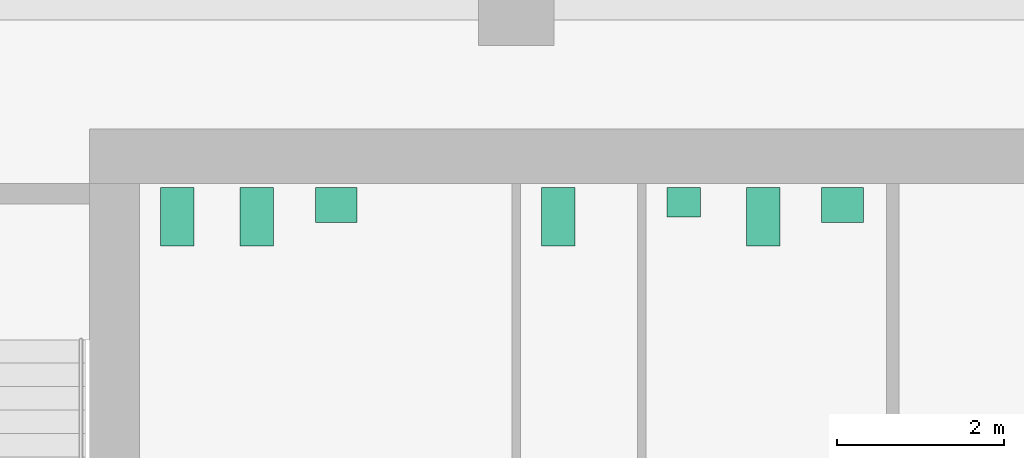
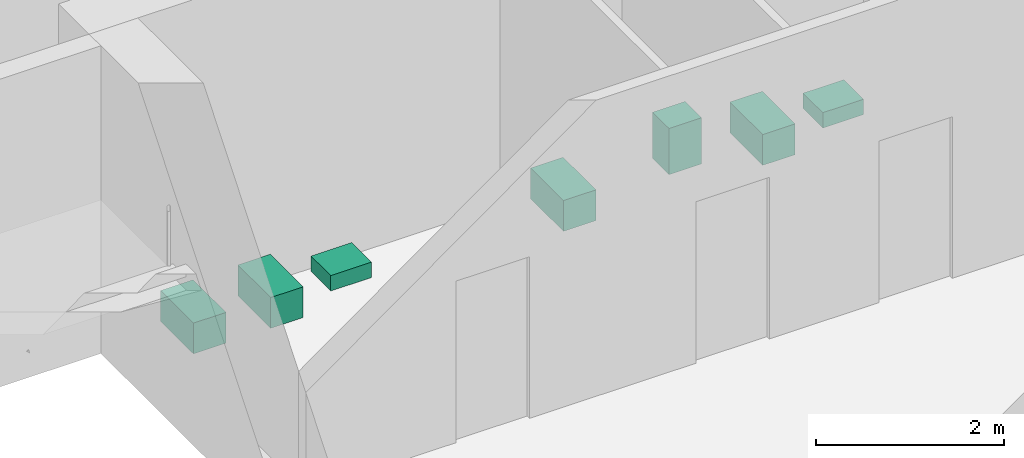
# One storey, part 8 of 8: 7 sanitary terminals.
"""IFC4 building model written with IfcOpenShell, lengths in metres."""

from ifc_helpers import new_model, si_unit, direction, frame, origin, origin_2d, place, context, subcontext, project, spatial, rectangle, extrude, material, type_object, element, save


model = new_model("IFC4")

# Units and contexts
model_context = context("Model", 3, precision=1e-05, world=origin(), true_north=direction((0.0, 1.0)))
body_context = subcontext(model_context, "Body", "Model", "MODEL_VIEW")
ifc_project = project(units=[si_unit("LENGTHUNIT", "METRE"), si_unit("AREAUNIT", "SQUARE_METRE"), si_unit("VOLUMEUNIT", "CUBIC_METRE"), si_unit("PLANEANGLEUNIT", "RADIAN"), si_unit("MASSUNIT", "GRAM", prefix="KILO")], contexts=[model_context])

# Site, building, storey
site_placement = place(None, origin())
site = spatial("IfcSite", under=ifc_project, at=site_placement, CompositionType="ELEMENT")
building_placement = place(site_placement, origin())
building = spatial("IfcBuilding", under=site, at=building_placement, Name="Cinnabar Reach Civic Tower", CompositionType="ELEMENT")
storey_placement = place(building_placement, frame((0.0, 0.0, 181.0)))
storey = spatial("IfcBuildingStorey", under=building, at=storey_placement, Name="L43", CompositionType="ELEMENT", Elevation=181.0)

# Sanitary terminals
ifc_material = material(Name="Vitreous china")
sanitary_terminal_type_1 = type_object("IfcSanitaryTerminalType", Name="T1 WC pan", PredefinedType="TOILETPAN", material=ifc_material)
for number, where, z_axis, x_axis, name in (
    (1, (4.95, 41.6, 0.0), (0.0, 0.0, 1.0), (1.0, 0.0, 0.0), "T1 WC pan 4309-1"),
    (2, (5.9, 41.6, 0.0), (0.0, 0.0, 1.0), (1.0, 0.0, 0.0), "T1 WC pan 4309-2"),
    (3, (9.5, 41.6, 0.0), (0.0, 0.0, 1.0), (1.0, 0.0, 0.0), "T1 WC pan 4310-1"),
    (4, (11.95, 41.6, 0.0), (0.0, 0.0, 1.0), (1.0, 0.0, 0.0), "T1 WC pan 4311-2"),
):
    element("IfcSanitaryTerminal", number, at=place(storey_placement, frame(where, z_axis=z_axis, x_axis=x_axis)), inside=storey, type_object=sanitary_terminal_type_1, Name=name, PredefinedType="TOILETPAN", context=body_context, shape_type="SweptSolid", body=[
        extrude(rectangle(XDim=0.4, YDim=0.7, at=origin_2d()), origin(), (0.0, 0.0, 1.0), 0.4),
    ])
sanitary_terminal_type_2 = type_object("IfcSanitaryTerminalType", Name="T1 urinal", PredefinedType="URINAL", material=ifc_material)
sanitary_terminal_placement = place(storey_placement, frame((11.0, 41.775, 0.0), z_axis=(0.0, 0.0, 1.0), x_axis=(1.0, 0.0, 0.0)))
element("IfcSanitaryTerminal", 5, at=sanitary_terminal_placement, inside=storey, type_object=sanitary_terminal_type_2, Name="T1 urinal 4311-1", PredefinedType="URINAL", context=body_context, shape_type="SweptSolid", body=[
    extrude(rectangle(XDim=0.4, YDim=0.35, at=origin_2d()), origin(), (0.0, 0.0, 1.0), 0.6),
])
sanitary_terminal_type_3 = type_object("IfcSanitaryTerminalType", Name="T1 wash basin", PredefinedType="WASHHANDBASIN", material=ifc_material)
for number, where, z_axis, x_axis, name in (
    (6, (6.85, 41.74, 0.0), (0.0, 0.0, 1.0), (1.0, 0.0, 0.0), "T1 wash basin 4309-3"),
    (7, (12.9, 41.74, 0.0), (0.0, 0.0, 1.0), (1.0, 0.0, 0.0), "T1 wash basin 4311-3"),
):
    element("IfcSanitaryTerminal", number, at=place(storey_placement, frame(where, z_axis=z_axis, x_axis=x_axis)), inside=storey, type_object=sanitary_terminal_type_3, Name=name, PredefinedType="WASHHANDBASIN", context=body_context, shape_type="SweptSolid", body=[
        extrude(rectangle(XDim=0.5, YDim=0.42, at=origin_2d()), origin(), (0.0, 0.0, 1.0), 0.2),
    ])

save(model, "model.ifc")
